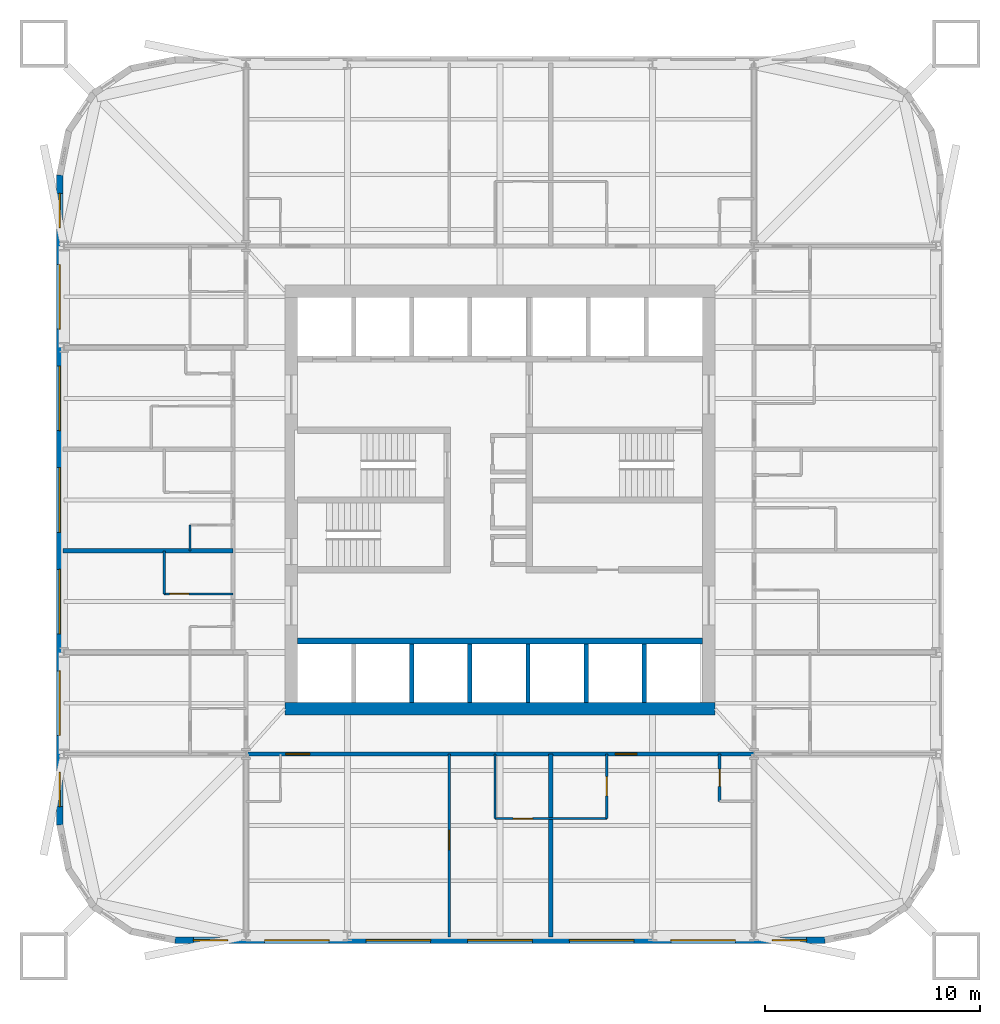
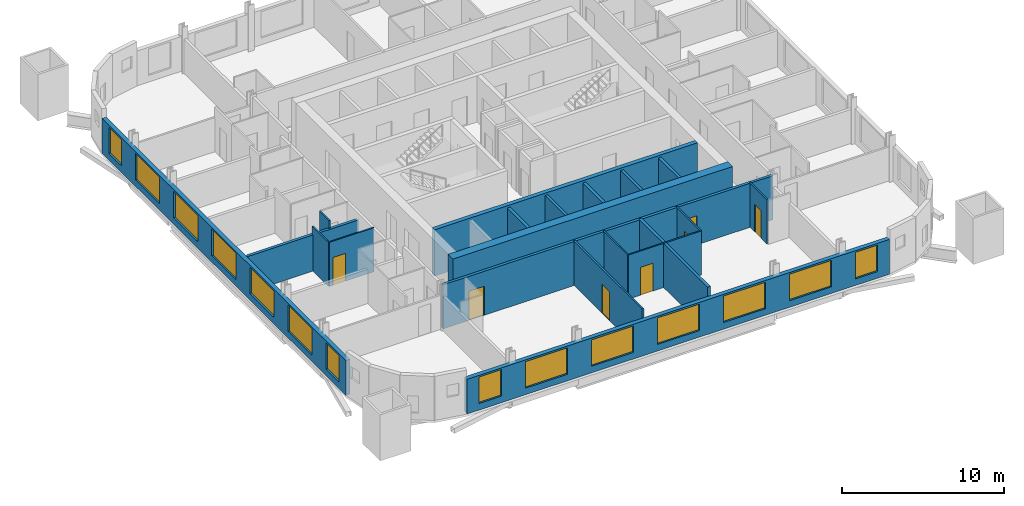
# One storey, part 3 of 9: 20 walls, 14 windows, 7 doors, 21 openings.
"""IFC4 building model written with IfcOpenShell, lengths in metres."""

from ifc_helpers import new_model, si_unit, direction, frame, frame_2d, origin, place, context, subcontext, project, spatial, rectangle, extrude, material, layer, layer_set, type_object, element, fill, save


model = new_model("IFC4")

# Units and contexts
model_context = context("Model", 3, precision=1e-05, world=origin(), true_north=direction((0.0, 1.0)))
body_context = subcontext(model_context, "Body", "Model", "MODEL_VIEW")
ifc_project = project(units=[si_unit("LENGTHUNIT", "METRE"), si_unit("AREAUNIT", "SQUARE_METRE"), si_unit("VOLUMEUNIT", "CUBIC_METRE"), si_unit("PLANEANGLEUNIT", "RADIAN"), si_unit("MASSUNIT", "GRAM", prefix="KILO")], contexts=[model_context])

# Site, building, storey
site_placement = place(None, origin())
site = spatial("IfcSite", under=ifc_project, at=site_placement, CompositionType="ELEMENT")
building_placement = place(site_placement, origin())
building = spatial("IfcBuilding", under=site, at=building_placement, Name="Turquesa Mirador Hotel Tower", CompositionType="ELEMENT")
storey_placement = place(building_placement, frame((0.0, 0.0, 149.39990234375)))
storey = spatial("IfcBuildingStorey", under=building, at=storey_placement, Name="L40", CompositionType="ELEMENT", Elevation=149.39990234375)

# Wall, opening, door
ifc_material_1 = material(Name="Gypsum board on steel studs", Category="steel")
ifc_layer_1 = layer(ifc_material_1, 0.10009765625)
ifc_layer_set_1 = layer_set([ifc_layer_1], Name="BATHROOM WALL 100")
wall_type_1 = type_object("IfcWallType", Name="BATHROOM WALL 100", PredefinedType="PARTITIONING", material=ifc_layer_set_1)
wall_1_placement = place(storey_placement, frame((54.760009765625, 30.199951171875, 0.0), z_axis=(0.0, 0.0, 1.0), x_axis=(1.0, 0.0, 0.0)))
wall_1 = element("IfcWall", 1, at=wall_1_placement, inside=storey, type_object=wall_type_1, Name="Partition L40 008", PredefinedType="PARTITIONING", context=body_context, shape_type="SweptSolid", body=[
    extrude(rectangle(XDim=5.199951171875, YDim=0.10009765625, at=frame_2d((2.60009765625, 0.0))), origin(), (0.0, 0.0, 1.0), 3.330078125),
])
opening_1_placement = place(wall_1_placement, frame((0.85009765625, 0.0, 0.0)))
opening_1 = element("IfcOpeningElement", 2, at=opening_1_placement, cuts=wall_1, Name="Opening D02", PredefinedType="OPENING", context=body_context, shape_type="SweptSolid", body=[
    extrude(rectangle(XDim=0.89990234375, YDim=2.10009765625, at=frame_2d((0.449951171875, 1.050048828125))), frame((0.0, 0.06005859375, 0.0), z_axis=(0.0, -1.0, 0.0), x_axis=(1.0, 0.0, 0.0)), (0.0, 0.0, 1.0), 0.1201171875),
])
ifc_material_2 = material(Name="Timber veneered door", Category="wood")
door_type_1 = type_object("IfcDoorType", Name="DOOR 900X2100 EN-SUITE", OperationType="SINGLE_SWING_RIGHT", PredefinedType="DOOR", material=ifc_material_2)
door_1_placement = place(opening_1_placement, origin())
door_1 = element("IfcDoor", 3, at=door_1_placement, inside=storey, type_object=door_type_1, Name="Door 4003B", OperationType="SINGLE_SWING_RIGHT", OverallHeight=2.10009765625, OverallWidth=0.89990234375, PredefinedType="DOOR", context=body_context, shape_type="SweptSolid", body=[
    extrude(rectangle(XDim=0.89990234375, YDim=2.10009765625, at=frame_2d((0.449951171875, 1.050048828125))), frame((0.0, 0.02490234375, 0.0), z_axis=(0.0, -1.0, 0.0), x_axis=(1.0, 0.0, 0.0)), (0.0, 0.0, 1.0), 0.050048828125),
])
fill(opening_1, door_1)

wall_2_placement = place(storey_placement, frame((39.39990234375, 40.639892578125, 0.0), z_axis=(0.0, 0.0, 1.0), x_axis=(1.0, 0.0, 0.0)))
wall_2 = element("IfcWall", 4, at=wall_2_placement, inside=storey, type_object=wall_type_1, Name="Partition L40 012", PredefinedType="PARTITIONING", context=body_context, shape_type="SweptSolid", body=[
    extrude(rectangle(XDim=3.2001953125, YDim=0.10009765625, at=frame_2d((1.60009765625, 0.0))), origin(), (0.0, 0.0, 1.0), 3.330078125),
])
opening_2_placement = place(wall_2_placement, frame((0.25, 0.0, 0.0)))
opening_2 = element("IfcOpeningElement", 5, at=opening_2_placement, cuts=wall_2, Name="Opening D02", PredefinedType="OPENING", context=body_context, shape_type="SweptSolid", body=[
    extrude(rectangle(XDim=0.89990234375, YDim=2.10009765625, at=frame_2d((0.449951171875, 1.050048828125))), frame((0.0, 0.06005859375, 0.0), z_axis=(0.0, -1.0, 0.0), x_axis=(1.0, 0.0, 0.0)), (0.0, 0.0, 1.0), 0.1201171875),
])
door_2_placement = place(opening_2_placement, origin())
door_2 = element("IfcDoor", 6, at=door_2_placement, inside=storey, type_object=door_type_1, Name="Door 4008B", OperationType="SINGLE_SWING_RIGHT", OverallHeight=2.10009765625, OverallWidth=0.89990234375, PredefinedType="DOOR", context=body_context, shape_type="SweptSolid", body=[
    extrude(rectangle(XDim=0.89990234375, YDim=2.10009765625, at=frame_2d((0.449951171875, 1.050048828125))), frame((0.0, 0.02490234375, 0.0), z_axis=(0.0, -1.0, 0.0), x_axis=(1.0, 0.0, 0.0)), (0.0, 0.0, 1.0), 0.050048828125),
])
fill(opening_2, door_2)

# Walls
wall_3_placement = place(storey_placement, frame((54.760009765625, 30.199951171875, 0.0), z_axis=(0.0, 0.0, 1.0), x_axis=(0.0, 1.0, 0.0)))
element("IfcWall", 7, at=wall_3_placement, inside=storey, type_object=wall_type_1, Name="Partition L40 039", PredefinedType="PARTITIONING", context=body_context, shape_type="SweptSolid", body=[
    extrude(rectangle(XDim=3.0, YDim=0.10009765625, at=frame_2d((1.5, 0.0))), origin(), (0.0, 0.0, 1.0), 3.330078125),
])
wall_4_placement = place(storey_placement, frame((40.60009765625, 42.639892578125, 0.0), z_axis=(0.0, 0.0, 1.0), x_axis=(0.0, 1.0, 0.0)))
element("IfcWall", 8, at=wall_4_placement, inside=storey, type_object=wall_type_1, Name="Partition L40 049", PredefinedType="PARTITIONING", context=body_context, shape_type="SweptSolid", body=[
    extrude(rectangle(XDim=1.2001953125, YDim=0.10009765625, at=frame_2d((0.60009765625, 0.0))), origin(), (0.0, 0.0, 1.0), 3.330078125),
])
wall_5_placement = place(storey_placement, frame((39.39990234375, 40.639892578125, 0.0), z_axis=(0.0, 0.0, 1.0), x_axis=(0.0, 1.0, 0.0)))
element("IfcWall", 9, at=wall_5_placement, inside=storey, type_object=wall_type_1, Name="Partition L40 054", PredefinedType="PARTITIONING", context=body_context, shape_type="SweptSolid", body=[
    extrude(rectangle(XDim=2.0, YDim=0.10009765625, at=frame_2d((1.0, 0.0))), origin(), (0.0, 0.0, 1.0), 3.330078125),
])

# Wall, opening, door
wall_6_placement = place(storey_placement, frame((59.9599609375, 30.199951171875, 0.0), z_axis=(0.0, 0.0, 1.0), x_axis=(0.0, 1.0, 0.0)))
wall_6 = element("IfcWall", 10, at=wall_6_placement, inside=storey, type_object=wall_type_1, Name="Partition L40 074", PredefinedType="PARTITIONING", context=body_context, shape_type="SweptSolid", body=[
    extrude(rectangle(XDim=3.0, YDim=0.10009765625, at=frame_2d((1.5, 0.0))), origin(), (0.0, 0.0, 1.0), 3.330078125),
])
opening_3_placement = place(wall_6_placement, frame((1.050048828125, 0.0, 0.0)))
opening_3 = element("IfcOpeningElement", 11, at=opening_3_placement, cuts=wall_6, Name="Opening D02", PredefinedType="OPENING", context=body_context, shape_type="SweptSolid", body=[
    extrude(rectangle(XDim=0.89990234375, YDim=2.10009765625, at=frame_2d((0.449951171875, 1.050048828125))), frame((0.0, 0.06005859375, 0.0), z_axis=(0.0, -1.0, 0.0), x_axis=(1.0, 0.0, 0.0)), (0.0, 0.0, 1.0), 0.1201171875),
])
door_3_placement = place(opening_3_placement, origin())
door_3 = element("IfcDoor", 12, at=door_3_placement, inside=storey, type_object=door_type_1, Name="Door 4004B", OperationType="SINGLE_SWING_RIGHT", OverallHeight=2.10009765625, OverallWidth=0.89990234375, PredefinedType="DOOR", context=body_context, shape_type="SweptSolid", body=[
    extrude(rectangle(XDim=0.89990234375, YDim=2.10009765625, at=frame_2d((0.449951171875, 1.050048828125))), frame((0.0, 0.02490234375, 0.0), z_axis=(0.0, -1.0, 0.0), x_axis=(1.0, 0.0, 0.0)), (0.0, 0.0, 1.0), 0.050048828125),
])
fill(opening_3, door_3)

# Walls
ifc_material_3 = material(Name="Concrete C50/60", Category="concrete")
ifc_layer_2 = layer(ifc_material_3, 0.300048828125)
ifc_layer_set_2 = layer_set([ifc_layer_2], Name="CORE INNER WALL 300")
wall_type_2 = type_object("IfcWallType", Name="CORE INNER WALL 300", PredefinedType="SHEAR", material=ifc_layer_set_2)
wall_7_placement = place(storey_placement, frame((45.60009765625, 38.449951171875, 0.0), z_axis=(0.0, 0.0, 1.0), x_axis=(1.0, 0.0, 0.0)))
element("IfcWall", 13, at=wall_7_placement, inside=storey, type_object=wall_type_2, Name="Core wall SL", PredefinedType="SHEAR", context=body_context, shape_type="SweptSolid", body=[
    extrude(rectangle(XDim=18.7998046875, YDim=0.300048828125, at=frame_2d((9.39990234375, 0.0))), origin(), (0.0, 0.0, 1.0), 3.5),
])
ifc_material_4 = material(Name="Concrete C50/60", Category="concrete")
ifc_layer_3 = layer(ifc_material_4, 0.60009765625)
ifc_layer_set_3 = layer_set([ifc_layer_3], Name="CORE WALL 600")
wall_type_3 = type_object("IfcWallType", Name="CORE WALL 600", PredefinedType="SHEAR", material=ifc_layer_set_3)
wall_8_placement = place(storey_placement, frame((45.0, 35.300048828125, 0.0), z_axis=(0.0, 0.0, 1.0), x_axis=(1.0, 0.0, 0.0)))
element("IfcWall", 14, at=wall_8_placement, inside=storey, type_object=wall_type_3, Name="Core wall S", PredefinedType="SHEAR", context=body_context, shape_type="SweptSolid", body=[
    extrude(rectangle(XDim=20.0, YDim=0.60009765625, at=frame_2d((10.0, 0.0))), origin(), (0.0, 0.0, 1.0), 3.5),
])

# Wall, openings, doors
ifc_material_5 = material(Name="Fire-rated gypsum board on steel studs", Category="steel")
ifc_layer_4 = layer(ifc_material_5, 0.199951171875)
ifc_layer_set_4 = layer_set([ifc_layer_4], Name="CORRIDOR WALL 200")
wall_type_4 = type_object("IfcWallType", Name="CORRIDOR WALL 200", PredefinedType="PARTITIONING", material=ifc_layer_set_4)
wall_9_placement = place(storey_placement, frame((43.199951171875, 33.199951171875, 0.0), z_axis=(0.0, 0.0, 1.0), x_axis=(1.0, 0.0, 0.0)))
wall_9 = element("IfcWall", 15, at=wall_9_placement, inside=storey, type_object=wall_type_4, Name="Partition L40 003", PredefinedType="PARTITIONING", context=body_context, shape_type="SweptSolid", body=[
    extrude(rectangle(XDim=23.60009765625, YDim=0.199951171875, at=frame_2d((11.800048828125, 0.0))), origin(), (0.0, 0.0, 1.0), 3.330078125),
])
opening_4_placement = place(wall_9_placement, frame((1.85009765625, 0.0, 0.0)))
opening_4 = element("IfcOpeningElement", 16, at=opening_4_placement, cuts=wall_9, Name="Opening D15", PredefinedType="OPENING", context=body_context, shape_type="SweptSolid", body=[
    extrude(rectangle(XDim=1.10009765625, YDim=2.199951171875, at=frame_2d((0.550048828125, 1.10009765625))), frame((0.0, 0.10986328125, 0.0), z_axis=(0.0, -1.0, 0.0), x_axis=(1.0, 0.0, 0.0)), (0.0, 0.0, 1.0), 0.219970703125),
])
opening_5_placement = place(wall_9_placement, frame((17.159912109375, 0.0, 0.0)))
opening_5 = element("IfcOpeningElement", 17, at=opening_5_placement, cuts=wall_9, Name="Opening D01", PredefinedType="OPENING", context=body_context, shape_type="SweptSolid", body=[
    extrude(rectangle(XDim=1.0, YDim=2.199951171875, at=frame_2d((0.5, 1.10009765625))), frame((0.0, 0.10986328125, 0.0), z_axis=(0.0, -1.0, 0.0), x_axis=(1.0, 0.0, 0.0)), (0.0, 0.0, 1.0), 0.219970703125),
])
ifc_material_6 = material(Name="Timber veneered fire door", Category="wood")
door_type_2 = type_object("IfcDoorType", Name="DOOR 1000X2200 GUEST ENTRY", OperationType="SINGLE_SWING_LEFT", PredefinedType="DOOR", material=ifc_material_6)
door_4_placement = place(opening_5_placement, origin())
door_4 = element("IfcDoor", 18, at=door_4_placement, inside=storey, type_object=door_type_2, Name="Door 4004", OperationType="SINGLE_SWING_LEFT", OverallHeight=2.199951171875, OverallWidth=1.0, PredefinedType="DOOR", context=body_context, shape_type="SweptSolid", body=[
    extrude(rectangle(XDim=1.0, YDim=2.199951171875, at=frame_2d((0.5, 1.10009765625))), frame((0.0, 0.02490234375, 0.0), z_axis=(0.0, -1.0, 0.0), x_axis=(1.0, 0.0, 0.0)), (0.0, 0.0, 1.0), 0.050048828125),
])
fill(opening_5, door_4)
ifc_material_7 = material(Name="Timber veneered fire door", Category="wood")
door_type_3 = type_object("IfcDoorType", Name="DOOR 1100X2200 SUITE ENTRY", OperationType="SINGLE_SWING_LEFT", PredefinedType="DOOR", material=ifc_material_7)
door_5_placement = place(opening_4_placement, origin())
door_5 = element("IfcDoor", 19, at=door_5_placement, inside=storey, type_object=door_type_3, Name="Door 4003", OperationType="SINGLE_SWING_LEFT", OverallHeight=2.199951171875, OverallWidth=1.10009765625, PredefinedType="DOOR", context=body_context, shape_type="SweptSolid", body=[
    extrude(rectangle(XDim=1.10009765625, YDim=2.199951171875, at=frame_2d((0.550048828125, 1.10009765625))), frame((0.0, 0.02490234375, 0.0), z_axis=(0.0, -1.0, 0.0), x_axis=(1.0, 0.0, 0.0)), (0.0, 0.0, 1.0), 0.050048828125),
])
fill(opening_4, door_5)

# Wall, openings, windows
ifc_material_8 = material(Name="Limestone cladding on concrete block", Category="masonry")
ifc_layer_5 = layer(ifc_material_8, 0.300048828125)
ifc_layer_set_5 = layer_set([ifc_layer_5], Name="FACADE WALL 300 STONE SCREEN")
wall_type_5 = type_object("IfcWallType", Name="FACADE WALL 300 STONE SCREEN", PredefinedType="SOLIDWALL", material=ifc_layer_set_5)
wall_10_placement = place(storey_placement, frame((34.550048828125, 60.10009765625, 0.0), z_axis=(0.0, 0.0, 1.0), x_axis=(0.0, -1.0, 0.0)))
wall_10 = element("IfcWall", 20, at=wall_10_placement, inside=storey, type_object=wall_type_5, Name="Facade wall L40 14", PredefinedType="SOLIDWALL", context=body_context, shape_type="SweptSolid", body=[
    extrude(rectangle(XDim=30.2001953125, YDim=0.300048828125, at=frame_2d((15.10009765625, 0.0))), origin(), (0.0, 0.0, 1.0), 2.630126953125),
])
opening_6_placement = place(wall_10_placement, frame((0.85009765625, 0.0, 0.5)))
opening_6 = element("IfcOpeningElement", 21, at=opening_6_placement, cuts=wall_10, Name="Opening WN3", PredefinedType="OPENING", context=body_context, shape_type="SweptSolid", body=[
    extrude(rectangle(XDim=1.60009765625, YDim=2.0, at=frame_2d((0.800048828125, 1.0))), frame((0.0, 0.159912109375, 0.0), z_axis=(0.0, -1.0, 0.0), x_axis=(1.0, 0.0, 0.0)), (0.0, 0.0, 1.0), 0.320068359375),
])
opening_7_placement = place(wall_10_placement, frame((4.159912109375, 0.0, 0.5)))
opening_7 = element("IfcOpeningElement", 22, at=opening_7_placement, cuts=wall_10, Name="Opening WN1", PredefinedType="OPENING", context=body_context, shape_type="SweptSolid", body=[
    extrude(rectangle(XDim=3.0, YDim=2.0, at=frame_2d((1.5, 1.0))), frame((0.0, 0.159912109375, 0.0), z_axis=(0.0, -1.0, 0.0), x_axis=(1.0, 0.0, 0.0)), (0.0, 0.0, 1.0), 0.320068359375),
])
opening_8_placement = place(wall_10_placement, frame((8.8798828125, 0.0, 0.5)))
opening_8 = element("IfcOpeningElement", 23, at=opening_8_placement, cuts=wall_10, Name="Opening WN1", PredefinedType="OPENING", context=body_context, shape_type="SweptSolid", body=[
    extrude(rectangle(XDim=3.0, YDim=2.0, at=frame_2d((1.5, 1.0))), frame((0.0, 0.159912109375, 0.0), z_axis=(0.0, -1.0, 0.0), x_axis=(1.0, 0.0, 0.0)), (0.0, 0.0, 1.0), 0.320068359375),
])
opening_9_placement = place(wall_10_placement, frame((13.60009765625, 0.0, 0.5)))
opening_9 = element("IfcOpeningElement", 24, at=opening_9_placement, cuts=wall_10, Name="Opening WN1", PredefinedType="OPENING", context=body_context, shape_type="SweptSolid", body=[
    extrude(rectangle(XDim=3.0, YDim=2.0, at=frame_2d((1.5, 1.0))), frame((0.0, 0.159912109375, 0.0), z_axis=(0.0, -1.0, 0.0), x_axis=(1.0, 0.0, 0.0)), (0.0, 0.0, 1.0), 0.320068359375),
])
opening_10_placement = place(wall_10_placement, frame((18.320068359375, 0.0, 0.5)))
opening_10 = element("IfcOpeningElement", 25, at=opening_10_placement, cuts=wall_10, Name="Opening WN1", PredefinedType="OPENING", context=body_context, shape_type="SweptSolid", body=[
    extrude(rectangle(XDim=3.0, YDim=2.0, at=frame_2d((1.5, 1.0))), frame((0.0, 0.159912109375, 0.0), z_axis=(0.0, -1.0, 0.0), x_axis=(1.0, 0.0, 0.0)), (0.0, 0.0, 1.0), 0.320068359375),
])
opening_11_placement = place(wall_10_placement, frame((23.0400390625, 0.0, 0.5)))
opening_11 = element("IfcOpeningElement", 26, at=opening_11_placement, cuts=wall_10, Name="Opening WN1", PredefinedType="OPENING", context=body_context, shape_type="SweptSolid", body=[
    extrude(rectangle(XDim=3.0, YDim=2.0, at=frame_2d((1.5, 1.0))), frame((0.0, 0.159912109375, 0.0), z_axis=(0.0, -1.0, 0.0), x_axis=(1.0, 0.0, 0.0)), (0.0, 0.0, 1.0), 0.320068359375),
])
opening_12_placement = place(wall_10_placement, frame((27.75, 0.0, 0.5)))
opening_12 = element("IfcOpeningElement", 27, at=opening_12_placement, cuts=wall_10, Name="Opening WN3", PredefinedType="OPENING", context=body_context, shape_type="SweptSolid", body=[
    extrude(rectangle(XDim=1.60009765625, YDim=2.0, at=frame_2d((0.800048828125, 1.0))), frame((0.0, 0.159912109375, 0.0), z_axis=(0.0, -1.0, 0.0), x_axis=(1.0, 0.0, 0.0)), (0.0, 0.0, 1.0), 0.320068359375),
])
ifc_material_9 = material(Name="Ceramic-fritted laminated glass", Category="glass")
window_type_1 = type_object("IfcWindowType", Name="FRITTED WINDOW 1600X2000", PartitioningType="DOUBLE_PANEL_HORIZONTAL", PredefinedType="WINDOW", material=ifc_material_9)
window_1_placement = place(opening_6_placement, origin())
window_1 = element("IfcWindow", 28, at=window_1_placement, inside=storey, type_object=window_type_1, Name="Window L40", OverallHeight=2.0, OverallWidth=1.60009765625, PartitioningType="SINGLE_PANEL", PredefinedType="WINDOW", context=body_context, shape_type="SweptSolid", body=[
    extrude(rectangle(XDim=1.60009765625, YDim=2.0, at=frame_2d((0.800048828125, 1.0))), frame((0.0, 0.030029296875, 0.0), z_axis=(0.0, -1.0, 0.0), x_axis=(1.0, 0.0, 0.0)), (0.0, 0.0, 1.0), 0.06005859375),
])
fill(opening_6, window_1)
window_2_placement = place(opening_12_placement, origin())
window_2 = element("IfcWindow", 29, at=window_2_placement, inside=storey, type_object=window_type_1, Name="Window L40", OverallHeight=2.0, OverallWidth=1.60009765625, PartitioningType="SINGLE_PANEL", PredefinedType="WINDOW", context=body_context, shape_type="SweptSolid", body=[
    extrude(rectangle(XDim=1.60009765625, YDim=2.0, at=frame_2d((0.800048828125, 1.0))), frame((0.0, 0.030029296875, 0.0), z_axis=(0.0, -1.0, 0.0), x_axis=(1.0, 0.0, 0.0)), (0.0, 0.0, 1.0), 0.06005859375),
])
fill(opening_12, window_2)
ifc_material_10 = material(Name="Ceramic-fritted laminated glass", Category="glass")
window_type_2 = type_object("IfcWindowType", Name="FRITTED WINDOW 3000X2000", PartitioningType="DOUBLE_PANEL_HORIZONTAL", PredefinedType="WINDOW", material=ifc_material_10)
window_3_placement = place(opening_7_placement, origin())
window_3 = element("IfcWindow", 30, at=window_3_placement, inside=storey, type_object=window_type_2, Name="Window L40", OverallHeight=2.0, OverallWidth=3.0, PartitioningType="SINGLE_PANEL", PredefinedType="WINDOW", context=body_context, shape_type="SweptSolid", body=[
    extrude(rectangle(XDim=3.0, YDim=2.0, at=frame_2d((1.5, 1.0))), frame((0.0, 0.030029296875, 0.0), z_axis=(0.0, -1.0, 0.0), x_axis=(1.0, 0.0, 0.0)), (0.0, 0.0, 1.0), 0.06005859375),
])
fill(opening_7, window_3)
window_4_placement = place(opening_8_placement, origin())
window_4 = element("IfcWindow", 31, at=window_4_placement, inside=storey, type_object=window_type_2, Name="Window L40", OverallHeight=2.0, OverallWidth=3.0, PartitioningType="SINGLE_PANEL", PredefinedType="WINDOW", context=body_context, shape_type="SweptSolid", body=[
    extrude(rectangle(XDim=3.0, YDim=2.0, at=frame_2d((1.5, 1.0))), frame((0.0, 0.030029296875, 0.0), z_axis=(0.0, -1.0, 0.0), x_axis=(1.0, 0.0, 0.0)), (0.0, 0.0, 1.0), 0.06005859375),
])
fill(opening_8, window_4)
window_5_placement = place(opening_9_placement, origin())
window_5 = element("IfcWindow", 32, at=window_5_placement, inside=storey, type_object=window_type_2, Name="Window L40", OverallHeight=2.0, OverallWidth=3.0, PartitioningType="SINGLE_PANEL", PredefinedType="WINDOW", context=body_context, shape_type="SweptSolid", body=[
    extrude(rectangle(XDim=3.0, YDim=2.0, at=frame_2d((1.5, 1.0))), frame((0.0, 0.030029296875, 0.0), z_axis=(0.0, -1.0, 0.0), x_axis=(1.0, 0.0, 0.0)), (0.0, 0.0, 1.0), 0.06005859375),
])
fill(opening_9, window_5)
window_6_placement = place(opening_10_placement, origin())
window_6 = element("IfcWindow", 33, at=window_6_placement, inside=storey, type_object=window_type_2, Name="Window L40", OverallHeight=2.0, OverallWidth=3.0, PartitioningType="SINGLE_PANEL", PredefinedType="WINDOW", context=body_context, shape_type="SweptSolid", body=[
    extrude(rectangle(XDim=3.0, YDim=2.0, at=frame_2d((1.5, 1.0))), frame((0.0, 0.030029296875, 0.0), z_axis=(0.0, -1.0, 0.0), x_axis=(1.0, 0.0, 0.0)), (0.0, 0.0, 1.0), 0.06005859375),
])
fill(opening_10, window_6)
window_7_placement = place(opening_11_placement, origin())
window_7 = element("IfcWindow", 34, at=window_7_placement, inside=storey, type_object=window_type_2, Name="Window L40", OverallHeight=2.0, OverallWidth=3.0, PartitioningType="SINGLE_PANEL", PredefinedType="WINDOW", context=body_context, shape_type="SweptSolid", body=[
    extrude(rectangle(XDim=3.0, YDim=2.0, at=frame_2d((1.5, 1.0))), frame((0.0, 0.030029296875, 0.0), z_axis=(0.0, -1.0, 0.0), x_axis=(1.0, 0.0, 0.0)), (0.0, 0.0, 1.0), 0.06005859375),
])
fill(opening_11, window_7)

wall_11_placement = place(storey_placement, frame((39.89990234375, 24.550048828125, 0.0), z_axis=(0.0, 0.0, 1.0), x_axis=(1.0, 0.0, 0.0)))
wall_11 = element("IfcWall", 35, at=wall_11_placement, inside=storey, type_object=wall_type_5, Name="Facade wall L40 19", PredefinedType="SOLIDWALL", context=body_context, shape_type="SweptSolid", body=[
    extrude(rectangle(XDim=30.2001953125, YDim=0.300048828125, at=frame_2d((15.10009765625, 0.0))), origin(), (0.0, 0.0, 1.0), 2.630126953125),
])
opening_13_placement = place(wall_11_placement, frame((0.85009765625, 0.0, 0.5)))
opening_13 = element("IfcOpeningElement", 36, at=opening_13_placement, cuts=wall_11, Name="Opening WN3", PredefinedType="OPENING", context=body_context, shape_type="SweptSolid", body=[
    extrude(rectangle(XDim=1.60009765625, YDim=2.0, at=frame_2d((0.800048828125, 1.0))), frame((0.0, 0.159912109375, 0.0), z_axis=(0.0, -1.0, 0.0), x_axis=(1.0, 0.0, 0.0)), (0.0, 0.0, 1.0), 0.320068359375),
])
opening_14_placement = place(wall_11_placement, frame((4.159912109375, 0.0, 0.5)))
opening_14 = element("IfcOpeningElement", 37, at=opening_14_placement, cuts=wall_11, Name="Opening WN1", PredefinedType="OPENING", context=body_context, shape_type="SweptSolid", body=[
    extrude(rectangle(XDim=3.0, YDim=2.0, at=frame_2d((1.5, 1.0))), frame((0.0, 0.159912109375, 0.0), z_axis=(0.0, -1.0, 0.0), x_axis=(1.0, 0.0, 0.0)), (0.0, 0.0, 1.0), 0.320068359375),
])
opening_15_placement = place(wall_11_placement, frame((8.8798828125, 0.0, 0.5)))
opening_15 = element("IfcOpeningElement", 38, at=opening_15_placement, cuts=wall_11, Name="Opening WN1", PredefinedType="OPENING", context=body_context, shape_type="SweptSolid", body=[
    extrude(rectangle(XDim=3.0, YDim=2.0, at=frame_2d((1.5, 1.0))), frame((0.0, 0.159912109375, 0.0), z_axis=(0.0, -1.0, 0.0), x_axis=(1.0, 0.0, 0.0)), (0.0, 0.0, 1.0), 0.320068359375),
])
opening_16_placement = place(wall_11_placement, frame((13.60009765625, 0.0, 0.5)))
opening_16 = element("IfcOpeningElement", 39, at=opening_16_placement, cuts=wall_11, Name="Opening WN1", PredefinedType="OPENING", context=body_context, shape_type="SweptSolid", body=[
    extrude(rectangle(XDim=3.0, YDim=2.0, at=frame_2d((1.5, 1.0))), frame((0.0, 0.159912109375, 0.0), z_axis=(0.0, -1.0, 0.0), x_axis=(1.0, 0.0, 0.0)), (0.0, 0.0, 1.0), 0.320068359375),
])
opening_17_placement = place(wall_11_placement, frame((18.320068359375, 0.0, 0.5)))
opening_17 = element("IfcOpeningElement", 40, at=opening_17_placement, cuts=wall_11, Name="Opening WN1", PredefinedType="OPENING", context=body_context, shape_type="SweptSolid", body=[
    extrude(rectangle(XDim=3.0, YDim=2.0, at=frame_2d((1.5, 1.0))), frame((0.0, 0.159912109375, 0.0), z_axis=(0.0, -1.0, 0.0), x_axis=(1.0, 0.0, 0.0)), (0.0, 0.0, 1.0), 0.320068359375),
])
opening_18_placement = place(wall_11_placement, frame((23.0400390625, 0.0, 0.5)))
opening_18 = element("IfcOpeningElement", 41, at=opening_18_placement, cuts=wall_11, Name="Opening WN1", PredefinedType="OPENING", context=body_context, shape_type="SweptSolid", body=[
    extrude(rectangle(XDim=3.0, YDim=2.0, at=frame_2d((1.5, 1.0))), frame((0.0, 0.159912109375, 0.0), z_axis=(0.0, -1.0, 0.0), x_axis=(1.0, 0.0, 0.0)), (0.0, 0.0, 1.0), 0.320068359375),
])
opening_19_placement = place(wall_11_placement, frame((27.75, 0.0, 0.5)))
opening_19 = element("IfcOpeningElement", 42, at=opening_19_placement, cuts=wall_11, Name="Opening WN3", PredefinedType="OPENING", context=body_context, shape_type="SweptSolid", body=[
    extrude(rectangle(XDim=1.60009765625, YDim=2.0, at=frame_2d((0.800048828125, 1.0))), frame((0.0, 0.159912109375, 0.0), z_axis=(0.0, -1.0, 0.0), x_axis=(1.0, 0.0, 0.0)), (0.0, 0.0, 1.0), 0.320068359375),
])
window_8_placement = place(opening_13_placement, origin())
window_8 = element("IfcWindow", 43, at=window_8_placement, inside=storey, type_object=window_type_1, Name="Window L40", OverallHeight=2.0, OverallWidth=1.60009765625, PartitioningType="SINGLE_PANEL", PredefinedType="WINDOW", context=body_context, shape_type="SweptSolid", body=[
    extrude(rectangle(XDim=1.60009765625, YDim=2.0, at=frame_2d((0.800048828125, 1.0))), frame((0.0, 0.030029296875, 0.0), z_axis=(0.0, -1.0, 0.0), x_axis=(1.0, 0.0, 0.0)), (0.0, 0.0, 1.0), 0.06005859375),
])
fill(opening_13, window_8)
window_9_placement = place(opening_19_placement, origin())
window_9 = element("IfcWindow", 44, at=window_9_placement, inside=storey, type_object=window_type_1, Name="Window L40", OverallHeight=2.0, OverallWidth=1.60009765625, PartitioningType="SINGLE_PANEL", PredefinedType="WINDOW", context=body_context, shape_type="SweptSolid", body=[
    extrude(rectangle(XDim=1.60009765625, YDim=2.0, at=frame_2d((0.800048828125, 1.0))), frame((0.0, 0.030029296875, 0.0), z_axis=(0.0, -1.0, 0.0), x_axis=(1.0, 0.0, 0.0)), (0.0, 0.0, 1.0), 0.06005859375),
])
fill(opening_19, window_9)
window_10_placement = place(opening_14_placement, origin())
window_10 = element("IfcWindow", 45, at=window_10_placement, inside=storey, type_object=window_type_2, Name="Window L40", OverallHeight=2.0, OverallWidth=3.0, PartitioningType="SINGLE_PANEL", PredefinedType="WINDOW", context=body_context, shape_type="SweptSolid", body=[
    extrude(rectangle(XDim=3.0, YDim=2.0, at=frame_2d((1.5, 1.0))), frame((0.0, 0.030029296875, 0.0), z_axis=(0.0, -1.0, 0.0), x_axis=(1.0, 0.0, 0.0)), (0.0, 0.0, 1.0), 0.06005859375),
])
fill(opening_14, window_10)
window_11_placement = place(opening_15_placement, origin())
window_11 = element("IfcWindow", 46, at=window_11_placement, inside=storey, type_object=window_type_2, Name="Window L40", OverallHeight=2.0, OverallWidth=3.0, PartitioningType="SINGLE_PANEL", PredefinedType="WINDOW", context=body_context, shape_type="SweptSolid", body=[
    extrude(rectangle(XDim=3.0, YDim=2.0, at=frame_2d((1.5, 1.0))), frame((0.0, 0.030029296875, 0.0), z_axis=(0.0, -1.0, 0.0), x_axis=(1.0, 0.0, 0.0)), (0.0, 0.0, 1.0), 0.06005859375),
])
fill(opening_15, window_11)
window_12_placement = place(opening_16_placement, origin())
window_12 = element("IfcWindow", 47, at=window_12_placement, inside=storey, type_object=window_type_2, Name="Window L40", OverallHeight=2.0, OverallWidth=3.0, PartitioningType="SINGLE_PANEL", PredefinedType="WINDOW", context=body_context, shape_type="SweptSolid", body=[
    extrude(rectangle(XDim=3.0, YDim=2.0, at=frame_2d((1.5, 1.0))), frame((0.0, 0.030029296875, 0.0), z_axis=(0.0, -1.0, 0.0), x_axis=(1.0, 0.0, 0.0)), (0.0, 0.0, 1.0), 0.06005859375),
])
fill(opening_16, window_12)
window_13_placement = place(opening_17_placement, origin())
window_13 = element("IfcWindow", 48, at=window_13_placement, inside=storey, type_object=window_type_2, Name="Window L40", OverallHeight=2.0, OverallWidth=3.0, PartitioningType="SINGLE_PANEL", PredefinedType="WINDOW", context=body_context, shape_type="SweptSolid", body=[
    extrude(rectangle(XDim=3.0, YDim=2.0, at=frame_2d((1.5, 1.0))), frame((0.0, 0.030029296875, 0.0), z_axis=(0.0, -1.0, 0.0), x_axis=(1.0, 0.0, 0.0)), (0.0, 0.0, 1.0), 0.06005859375),
])
fill(opening_17, window_13)
window_14_placement = place(opening_18_placement, origin())
window_14 = element("IfcWindow", 49, at=window_14_placement, inside=storey, type_object=window_type_2, Name="Window L40", OverallHeight=2.0, OverallWidth=3.0, PartitioningType="SINGLE_PANEL", PredefinedType="WINDOW", context=body_context, shape_type="SweptSolid", body=[
    extrude(rectangle(XDim=3.0, YDim=2.0, at=frame_2d((1.5, 1.0))), frame((0.0, 0.030029296875, 0.0), z_axis=(0.0, -1.0, 0.0), x_axis=(1.0, 0.0, 0.0)), (0.0, 0.0, 1.0), 0.06005859375),
])
fill(opening_18, window_14)

# Walls
ifc_material_11 = material(Name="Fire-rated gypsum shaft wall on steel studs", Category="steel")
ifc_layer_6 = layer(ifc_material_11, 0.199951171875)
ifc_layer_set_6 = layer_set([ifc_layer_6], Name="LIFT SHAFT DIVIDER 200")
wall_type_6 = type_object("IfcWallType", Name="LIFT SHAFT DIVIDER 200", PredefinedType="PARTITIONING", material=ifc_layer_set_6)
for number, where, z_axis, x_axis, name in (
    (50, (50.89990234375, 35.60009765625, 0.0), (0.0, 0.0, 1.0), (0.0, 1.0, 0.0), "Lift shaft divider"),
    (51, (53.60009765625, 35.60009765625, 0.0), (0.0, 0.0, 1.0), (0.0, 1.0, 0.0), "Lift shaft divider"),
    (52, (56.300048828125, 35.60009765625, 0.0), (0.0, 0.0, 1.0), (0.0, 1.0, 0.0), "Lift shaft divider"),
    (53, (59.0, 35.60009765625, 0.0), (0.0, 0.0, 1.0), (0.0, 1.0, 0.0), "Lift shaft divider"),
    (54, (61.699951171875, 35.60009765625, 0.0), (0.0, 0.0, 1.0), (0.0, 1.0, 0.0), "Lift shaft divider"),
):
    element("IfcWall", number, at=place(storey_placement, frame(where, z_axis=z_axis, x_axis=x_axis)), inside=storey, type_object=wall_type_6, Name=name, PredefinedType="PARTITIONING", context=body_context, shape_type="SweptSolid", body=[
        extrude(rectangle(XDim=2.699951171875, YDim=0.199951171875, at=frame_2d((1.35009765625, 0.0))), origin(), (0.0, 0.0, 1.0), 3.330078125),
    ])
ifc_material_12 = material(Name="Fire-rated gypsum board on steel studs", Category="steel")
ifc_layer_7 = layer(ifc_material_12, 0.199951171875)
ifc_layer_set_7 = layer_set([ifc_layer_7], Name="PARTY WALL 200")
wall_type_7 = type_object("IfcWallType", Name="PARTY WALL 200", PredefinedType="PARTITIONING", material=ifc_layer_set_7)
wall_12_placement = place(storey_placement, frame((34.699951171875, 42.639892578125, 0.0), z_axis=(0.0, 0.0, 1.0), x_axis=(1.0, 0.0, 0.0)))
element("IfcWall", 55, at=wall_12_placement, inside=storey, type_object=wall_type_7, Name="Partition L40 009", PredefinedType="PARTITIONING", context=body_context, shape_type="SweptSolid", body=[
    extrude(rectangle(XDim=7.900146484375, YDim=0.199951171875, at=frame_2d((3.9501953125, 0.0))), origin(), (0.0, 0.0, 1.0), 2.730712890625),
])
wall_13_placement = place(storey_placement, frame((57.360107421875, 24.699951171875, 0.0), z_axis=(0.0, 0.0, 1.0), x_axis=(0.0, 1.0, 0.0)))
element("IfcWall", 56, at=wall_13_placement, inside=storey, type_object=wall_type_7, Name="Partition L40 072", PredefinedType="PARTITIONING", context=body_context, shape_type="SweptSolid", body=[
    extrude(rectangle(XDim=8.5, YDim=0.199951171875, at=frame_2d((4.25, 0.0))), origin(), (0.0, 0.0, 1.0), 3.330078125),
])

# Wall, opening, door
ifc_material_13 = material(Name="Acoustic gypsum board on steel studs", Category="steel")
ifc_layer_8 = layer(ifc_material_13, 0.125)
ifc_layer_set_8 = layer_set([ifc_layer_8], Name="SUITE PARTITION 125")
wall_type_8 = type_object("IfcWallType", Name="SUITE PARTITION 125", PredefinedType="PARTITIONING", material=ifc_layer_set_8)
wall_14_placement = place(storey_placement, frame((52.639892578125, 24.699951171875, 0.0), z_axis=(0.0, 0.0, 1.0), x_axis=(0.0, 1.0, 0.0)))
wall_14 = element("IfcWall", 57, at=wall_14_placement, inside=storey, type_object=wall_type_8, Name="Partition L40 057", PredefinedType="PARTITIONING", context=body_context, shape_type="SweptSolid", body=[
    extrude(rectangle(XDim=8.5, YDim=0.125, at=frame_2d((4.25, 0.0))), origin(), (0.0, 0.0, 1.0), 3.330078125),
])
opening_20_placement = place(wall_14_placement, frame((4.050048828125, 0.0, 0.0)))
opening_20 = element("IfcOpeningElement", 58, at=opening_20_placement, cuts=wall_14, Name="Opening D17", PredefinedType="OPENING", context=body_context, shape_type="SweptSolid", body=[
    extrude(rectangle(XDim=0.89990234375, YDim=2.199951171875, at=frame_2d((0.449951171875, 1.10009765625))), frame((0.0, 0.072509765625, 0.0), z_axis=(0.0, -1.0, 0.0), x_axis=(1.0, 0.0, 0.0)), (0.0, 0.0, 1.0), 0.14501953125),
])
ifc_material_14 = material(Name="Timber veneered door", Category="wood")
door_type_4 = type_object("IfcDoorType", Name="DOOR 900X2200 SUITE INTERNAL", OperationType="SINGLE_SWING_LEFT", PredefinedType="DOOR", material=ifc_material_14)
door_6_placement = place(opening_20_placement, origin())
door_6 = element("IfcDoor", 59, at=door_6_placement, inside=storey, type_object=door_type_4, Name="Door 4003R", OperationType="SINGLE_SWING_LEFT", OverallHeight=2.199951171875, OverallWidth=0.89990234375, PredefinedType="DOOR", context=body_context, shape_type="SweptSolid", body=[
    extrude(rectangle(XDim=0.89990234375, YDim=2.199951171875, at=frame_2d((0.449951171875, 1.10009765625))), frame((0.0, 0.02490234375, 0.0), z_axis=(0.0, -1.0, 0.0), x_axis=(1.0, 0.0, 0.0)), (0.0, 0.0, 1.0), 0.050048828125),
])
fill(opening_20, door_6)

wall_15_placement = place(storey_placement, frame((65.199951171875, 31.0, 0.0), z_axis=(0.0, 0.0, 1.0), x_axis=(0.0, 1.0, 0.0)))
wall_15 = element("IfcWall", 60, at=wall_15_placement, inside=storey, type_object=wall_type_8, Name="Partition L40 059", PredefinedType="PARTITIONING", context=body_context, shape_type="SweptSolid", body=[
    extrude(rectangle(XDim=2.199951171875, YDim=0.125, at=frame_2d((1.10009765625, 0.0))), origin(), (0.0, 0.0, 1.0), 3.330078125),
])
opening_21_placement = place(wall_15_placement, frame((0.699951171875, 0.0, 0.0)))
opening_21 = element("IfcOpeningElement", 61, at=opening_21_placement, cuts=wall_15, Name="Opening D20", PredefinedType="OPENING", context=body_context, shape_type="SweptSolid", body=[
    extrude(rectangle(XDim=0.800048828125, YDim=2.10009765625, at=frame_2d((0.39990234375, 1.050048828125))), frame((0.0, 0.072509765625, 0.0), z_axis=(0.0, -1.0, 0.0), x_axis=(1.0, 0.0, 0.0)), (0.0, 0.0, 1.0), 0.14501953125),
])
ifc_material_15 = material(Name="Timber veneered sliding door", Category="wood")
door_type_5 = type_object("IfcDoorType", Name="DOOR 800X2100 WARDROBE", OperationType="SLIDING_TO_LEFT", PredefinedType="DOOR", material=ifc_material_15)
door_7_placement = place(opening_21_placement, origin())
door_7 = element("IfcDoor", 62, at=door_7_placement, inside=storey, type_object=door_type_5, Name="Door 4004W", OperationType="SLIDING_TO_LEFT", OverallHeight=2.10009765625, OverallWidth=0.800048828125, PredefinedType="DOOR", context=body_context, shape_type="SweptSolid", body=[
    extrude(rectangle(XDim=0.800048828125, YDim=2.10009765625, at=frame_2d((0.39990234375, 1.050048828125))), frame((0.0, 0.02490234375, 0.0), z_axis=(0.0, -1.0, 0.0), x_axis=(1.0, 0.0, 0.0)), (0.0, 0.0, 1.0), 0.050048828125),
])
fill(opening_21, door_7)

save(model, "model.ifc")
